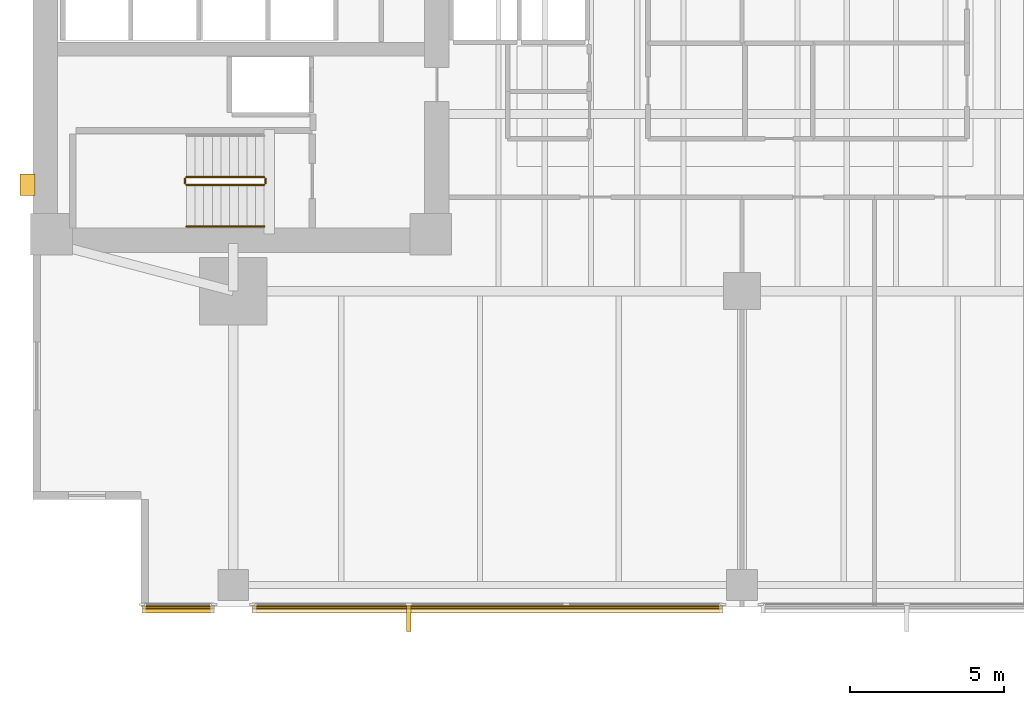
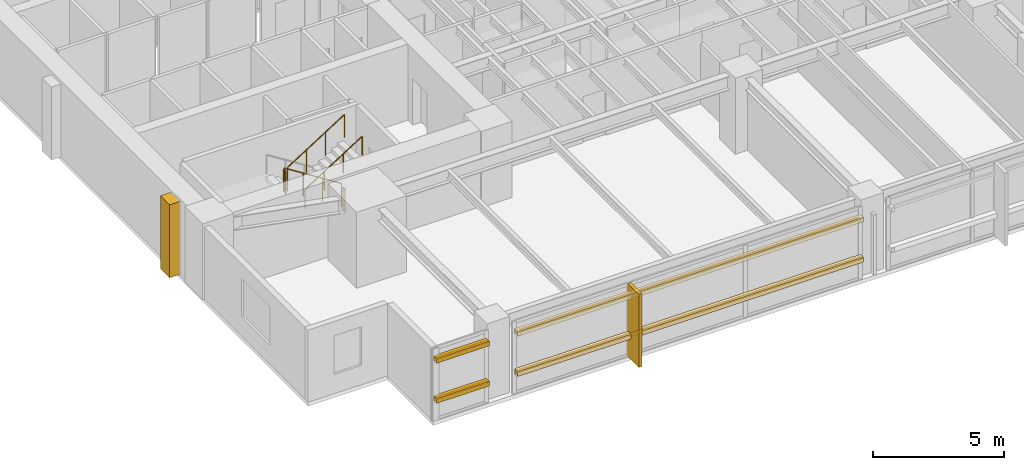
# One storey, part 12 of 15: 6 coverings, 5 railings, 4 shading devices.
"""IFC4 building model written with IfcOpenShell, lengths in metres."""

from ifc_helpers import new_model, si_unit, direction, frame, origin, origin_2d, place, context, subcontext, project, spatial, polyline, rectangle, circle, outline, extrude, material, layer, layer_set, material_profile, profile_set, type_object, element, save


model = new_model("IFC4")

# Units and contexts
model_context = context("Model", 3, precision=1e-05, world=origin(), true_north=direction((0.0, 1.0)))
body_context = subcontext(model_context, "Body", "Model", "MODEL_VIEW")
ifc_project = project(units=[si_unit("LENGTHUNIT", "METRE"), si_unit("AREAUNIT", "SQUARE_METRE"), si_unit("VOLUMEUNIT", "CUBIC_METRE"), si_unit("PLANEANGLEUNIT", "RADIAN"), si_unit("MASSUNIT", "GRAM", prefix="KILO")], contexts=[model_context])

# Site, building, storey
site_placement = place(None, origin())
site = spatial("IfcSite", under=ifc_project, at=site_placement, CompositionType="ELEMENT")
building_placement = place(site_placement, origin())
building = spatial("IfcBuilding", under=site, at=building_placement, Name="Kinhvarn Gate Tower", CompositionType="ELEMENT")
storey_placement = place(building_placement, frame((0.0, 0.0, 68.199951171875)))
storey = spatial("IfcBuildingStorey", under=building, at=storey_placement, Name="L17", CompositionType="ELEMENT", Elevation=68.199951171875)

# Coverings
ifc_material_1 = material(Name="Fired architectural terracotta", Category="masonry")
ifc_layer_1 = layer(ifc_material_1, 0.239990234375)
ifc_layer_set_1 = layer_set([ifc_layer_1], Name="Fired architectural terracotta")
covering_type_1 = type_object("IfcCoveringType", Name="COV-BAG-220", PredefinedType="CLADDING", material=ifc_layer_set_1)
covering_1_placement = place(storey_placement, frame((0.0, 0.0, 0.93994140625)))
element("IfcCovering", 1, at=covering_1_placement, inside=storey, type_object=covering_type_1, Name="Terracotta Horizontal Sunscreen Band TBG-220 (L17)", PredefinedType="CLADDING", context=body_context, shape_type="SweptSolid", body=[
    extrude(outline(polyline([(8.0400390625, 2.56005859375), (10.3798828125, 2.56005859375), (10.3798828125, 2.320068359375), (8.0400390625, 2.320068359375), (8.0400390625, 2.56005859375)])), origin(), (0.0, 0.0, 1.0), 0.22021484375),
])
covering_2_placement = place(storey_placement, frame((0.0, 0.0, 2.81005859375)))
element("IfcCovering", 2, at=covering_2_placement, inside=storey, type_object=covering_type_1, Name="Terracotta Horizontal Sunscreen Band TBG-220 (L17)", PredefinedType="CLADDING", context=body_context, shape_type="SweptSolid", body=[
    extrude(outline(polyline([(8.0400390625, 2.56005859375), (10.3798828125, 2.56005859375), (10.3798828125, 2.320068359375), (8.0400390625, 2.320068359375), (8.0400390625, 2.56005859375)])), origin(), (0.0, 0.0, 1.0), 0.219970703125),
])
covering_3_placement = place(storey_placement, frame((0.0, 0.0, 0.93994140625)))
element("IfcCovering", 3, at=covering_3_placement, inside=storey, type_object=covering_type_1, Name="Terracotta Horizontal Sunscreen Band TBG-220 (L17)", PredefinedType="CLADDING", context=body_context, shape_type="SweptSolid", body=[
    extrude(outline(polyline([(11.6201171875, 2.56005859375), (26.8798828125, 2.56005859375), (26.8798828125, 2.320068359375), (11.6201171875, 2.320068359375), (11.6201171875, 2.56005859375)])), origin(), (0.0, 0.0, 1.0), 0.22021484375),
])
covering_4_placement = place(storey_placement, frame((0.0, 0.0, 2.81005859375)))
element("IfcCovering", 4, at=covering_4_placement, inside=storey, type_object=covering_type_1, Name="Terracotta Horizontal Sunscreen Band TBG-220 (L17)", PredefinedType="CLADDING", context=body_context, shape_type="SweptSolid", body=[
    extrude(outline(polyline([(11.6201171875, 2.56005859375), (26.8798828125, 2.56005859375), (26.8798828125, 2.320068359375), (11.6201171875, 2.320068359375), (11.6201171875, 2.56005859375)])), origin(), (0.0, 0.0, 1.0), 0.219970703125),
])
ifc_layer_2 = layer(ifc_material_1, 0.139892578125)
ifc_layer_set_2 = layer_set([ifc_layer_2], Name="Fired architectural terracotta")
covering_type_2 = type_object("IfcCoveringType", Name="COV-FIN-850", PredefinedType="CLADDING", material=ifc_layer_set_2)
covering_5_placement = place(storey_placement, frame((0.0, 0.0, -0.02001953125)))
element("IfcCovering", 5, at=covering_5_placement, inside=storey, type_object=covering_type_2, Name="Vertical Terracotta Expressive Fin TFN-850 (L17)", PredefinedType="CLADDING", context=body_context, shape_type="SweptSolid", body=[
    extrude(outline(polyline([(16.623291015625, 2.570068359375), (16.76318359375, 2.570068359375), (16.76318359375, 1.719970703125), (16.623291015625, 1.719970703125), (16.623291015625, 2.570068359375)])), origin(), (0.0, 0.0, 1.0), 3.41015625),
])
ifc_material_2 = material(Name="Precast white architectural concrete C40/50", Category="concrete")
ifc_layer_3 = layer(ifc_material_2, 0.47998046875)
ifc_layer_set_3 = layer_set([ifc_layer_3], Name="Precast white architectural concrete C40/50")
covering_type_3 = type_object("IfcCoveringType", Name="COV-RIB-450", PredefinedType="CLADDING", material=ifc_layer_set_3)
covering_6_placement = place(storey_placement, frame((0.0, 0.0, -0.02001953125)))
element("IfcCovering", 6, at=covering_6_placement, inside=storey, type_object=covering_type_3, Name="West Core Sculptural Concrete Relief Rib CRB-450 (L17)", PredefinedType="CLADDING", context=body_context, shape_type="SweptSolid", body=[
    extrude(outline(polyline([(4.080078125, 15.85009765625), (4.56005859375, 15.85009765625), (4.56005859375, 16.550048828125), (4.080078125, 16.550048828125), (4.080078125, 15.85009765625)])), origin(), (0.0, 0.0, 1.0), 3.41015625),
])

# Railings
ifc_material_3 = material(Name="Steel S355", Category="steel")
railing_type_1 = type_object("IfcRailingType", Name="RL-ST-GRD", PredefinedType="BALUSTRADE", material=ifc_material_3)
railing_1_placement = place(storey_placement, frame((12.0, 16.449951171875, 0.177490234375)))
element("IfcRailing", 7, at=railing_1_placement, inside=storey, type_object=railing_type_1, Name="L17 ST1 stair guard 1", PredefinedType="BALUSTRADE", context=body_context, shape_type="SweptSolid", body=[
    extrude(circle(Radius=0.02392578125, at=origin_2d()), frame((0.0, 0.0, 1.076171875), z_axis=(-0.84456994832, 0.0, 0.535445237532), x_axis=(0.0, -1.0, 0.0)), (0.0, 0.0, 1.0), 2.98388671875),
    extrude(circle(Radius=0.02099609375, at=origin_2d()), origin(), (0.0, 0.0, 1.0), 1.052001953125),
    extrude(circle(Radius=0.02099609375, at=origin_2d()), frame((-0.840087890625, 0.0, 0.532470703125)), (0.0, 0.0, 1.0), 1.052001953125),
    extrude(circle(Radius=0.02099609375, at=origin_2d()), frame((-1.679931640625, 0.0, 1.065185546875)), (0.0, 0.0, 1.0), 1.052001953125),
    extrude(circle(Radius=0.02099609375, at=origin_2d()), frame((-2.52001953125, 0.0, 1.59765625)), (0.0, 0.0, 1.0), 1.052001953125),
])
railing_2_placement = place(storey_placement, frame((9.429931640625, 16.39990234375, 1.775146484375)))
element("IfcRailing", 8, at=railing_2_placement, inside=storey, type_object=railing_type_1, Name="L17 ST1 stair guard 2", PredefinedType="BALUSTRADE", context=body_context, shape_type="SweptSolid", body=[
    extrude(circle(Radius=0.02392578125, at=origin_2d()), frame((0.0, 0.0, 1.076171875), z_axis=(0.0, -1.0, 0.0), x_axis=(1.0, 0.0, 0.0)), (0.0, 0.0, 1.0), 0.14990234375),
    extrude(circle(Radius=0.02099609375, at=origin_2d()), origin(), (0.0, 0.0, 1.0), 1.052001953125),
    extrude(circle(Radius=0.02099609375, at=origin_2d()), frame((0.0, -0.14990234375, 0.0)), (0.0, 0.0, 1.0), 1.052001953125),
])
railing_3_placement = place(storey_placement, frame((9.47998046875, 16.199951171875, 1.95263671875)))
element("IfcRailing", 9, at=railing_3_placement, inside=storey, type_object=railing_type_1, Name="L17 ST1 stair guard 3", PredefinedType="BALUSTRADE", context=body_context, shape_type="SweptSolid", body=[
    extrude(circle(Radius=0.02392578125, at=origin_2d()), frame((0.0, 0.0, 1.076171875), z_axis=(0.84460694969, 0.0, 0.535386869969), x_axis=(0.0, 1.0, 0.0)), (0.0, 0.0, 1.0), 2.983642578125),
    extrude(circle(Radius=0.02099609375, at=origin_2d()), origin(), (0.0, 0.0, 1.0), 1.052001953125),
    extrude(circle(Radius=0.02099609375, at=origin_2d()), frame((0.840087890625, 0.0, 0.532470703125)), (0.0, 0.0, 1.0), 1.052001953125),
    extrude(circle(Radius=0.02099609375, at=origin_2d()), frame((1.679931640625, 0.0, 1.06494140625)), (0.0, 0.0, 1.0), 1.052001953125),
    extrude(circle(Radius=0.02099609375, at=origin_2d()), frame((2.52001953125, 0.0, 1.597412109375)), (0.0, 0.0, 1.0), 1.052001953125),
])
railing_4_placement = place(storey_placement, frame((12.050048828125, 16.39990234375, 0.0)))
element("IfcRailing", 10, at=railing_4_placement, inside=storey, type_object=railing_type_1, Name="L17 ST1 stair guard 4", PredefinedType="BALUSTRADE", context=body_context, shape_type="SweptSolid", body=[
    extrude(circle(Radius=0.02392578125, at=origin_2d()), frame((0.0, 0.0, 1.076171875), z_axis=(0.0, -1.0, 0.0), x_axis=(1.0, 0.0, 0.0)), (0.0, 0.0, 1.0), 0.14990234375),
    extrude(circle(Radius=0.02099609375, at=origin_2d()), origin(), (0.0, 0.0, 1.0), 1.052001953125),
    extrude(circle(Radius=0.02099609375, at=origin_2d()), frame((0.0, -0.14990234375, 0.0)), (0.0, 0.0, 1.0), 1.052001953125),
])
railing_type_2 = type_object("IfcRailingType", Name="RL-ST-HND", PredefinedType="HANDRAIL", material=ifc_material_3)
railing_5_placement = place(storey_placement, frame((9.47998046875, 14.85009765625, 1.95263671875)))
element("IfcRailing", 11, at=railing_5_placement, inside=storey, type_object=railing_type_2, Name="L17 ST1 stair handrail 2", PredefinedType="HANDRAIL", context=body_context, shape_type="SweptSolid", body=[
    extrude(circle(Radius=0.02392578125, at=origin_2d()), frame((0.0, 0.0, 0.8759765625), z_axis=(0.84460694969, 0.0, 0.535386869969), x_axis=(0.0, 1.0, 0.0)), (0.0, 0.0, 1.0), 2.983642578125),
    extrude(circle(Radius=0.02099609375, at=origin_2d()), origin(), (0.0, 0.0, 1.0), 0.851806640625),
    extrude(circle(Radius=0.02099609375, at=origin_2d()), frame((0.840087890625, 0.0, 0.532470703125)), (0.0, 0.0, 1.0), 0.851806640625),
    extrude(circle(Radius=0.02099609375, at=origin_2d()), frame((1.679931640625, 0.0, 1.06494140625)), (0.0, 0.0, 1.0), 0.851806640625),
    extrude(circle(Radius=0.02099609375, at=origin_2d()), frame((2.52001953125, 0.0, 1.597412109375)), (0.0, 0.0, 1.0), 0.851806640625),
])

# Shading devices
ifc_material_profile = material_profile(ifc_material_1, rectangle(XDim=0.06005859375, YDim=0.139892578125, at=origin_2d()), Name="TC 60x140")
ifc_profile_set = profile_set([ifc_material_profile], Name="Fired architectural terracotta")
shading_device_type = type_object("IfcShadingDeviceType", Name="SHD-BAG-180", PredefinedType="USERDEFINED", material=ifc_profile_set)
for number, where, z_axis, x_axis, name in (
    (12, (8.0400390625, 2.485107421875, 1.050048828125), (1.0, 0.0, 0.0), (0.0, 1.0, 0.0), "Fired Terracotta Baguette Screen Rod 60x140 mm (L17)"),
    (13, (8.0400390625, 2.485107421875, 2.920166015625), (1.0, 0.0, 0.0), (0.0, 1.0, 0.0), "Fired Terracotta Baguette Screen Rod 60x140 mm (L17)"),
):
    element("IfcShadingDevice", number, at=place(storey_placement, frame(where, z_axis=z_axis, x_axis=x_axis)), inside=storey, type_object=shading_device_type, Name=name, ObjectType="BAGUETTE", PredefinedType="USERDEFINED", context=body_context, shape_type="SweptSolid", body=[
        extrude(rectangle(XDim=0.06005859375, YDim=0.139892578125, at=origin_2d()), origin(), (0.0, 0.0, 1.0), 2.33984375),
    ])
for number, where, z_axis, x_axis, name in (
    (14, (11.6201171875, 2.485107421875, 1.050048828125), (1.0, 0.0, 0.0), (0.0, 1.0, 0.0), "Fired Terracotta Baguette Screen Rod 60x140 mm (L17)"),
    (15, (11.6201171875, 2.485107421875, 2.920166015625), (1.0, 0.0, 0.0), (0.0, 1.0, 0.0), "Fired Terracotta Baguette Screen Rod 60x140 mm (L17)"),
):
    element("IfcShadingDevice", number, at=place(storey_placement, frame(where, z_axis=z_axis, x_axis=x_axis)), inside=storey, type_object=shading_device_type, Name=name, ObjectType="BAGUETTE", PredefinedType="USERDEFINED", context=body_context, shape_type="SweptSolid", body=[
        extrude(rectangle(XDim=0.06005859375, YDim=0.139892578125, at=origin_2d()), origin(), (0.0, 0.0, 1.0), 15.259765625),
    ])

save(model, "model.ifc")
